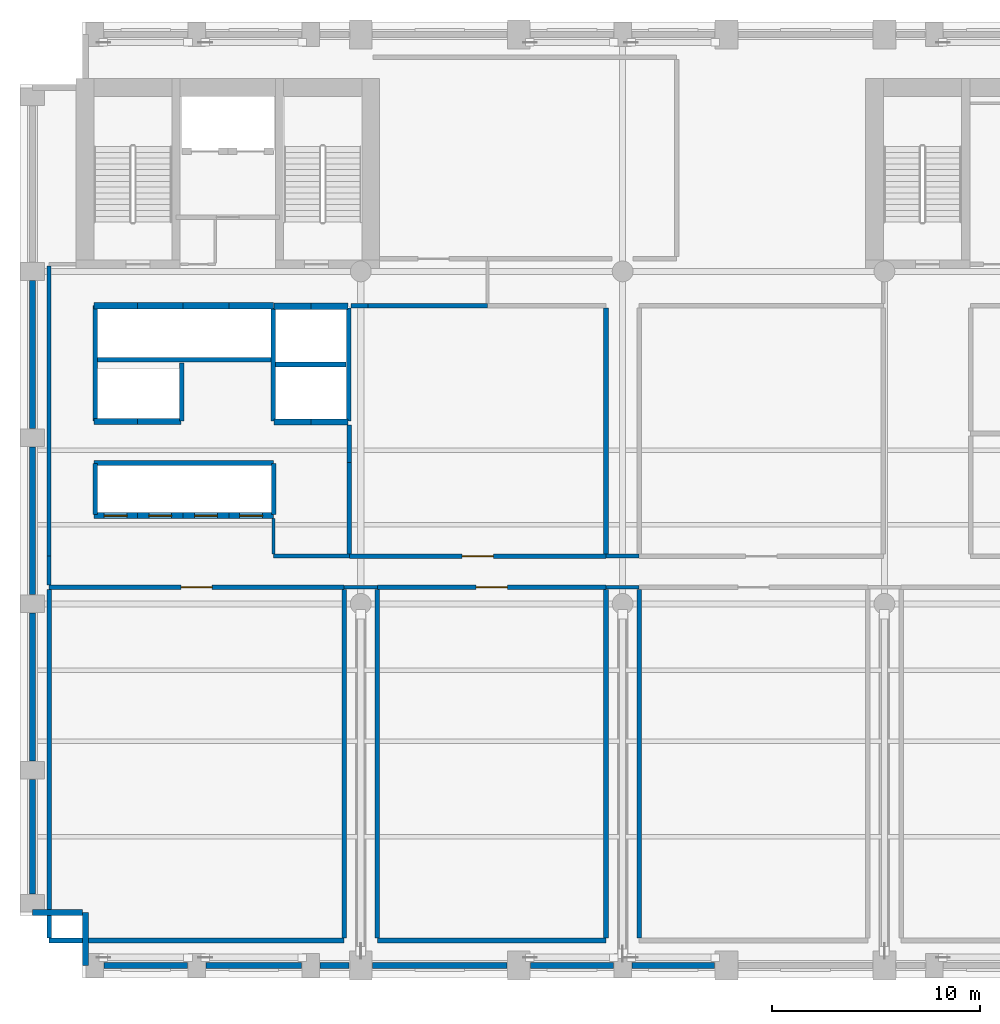
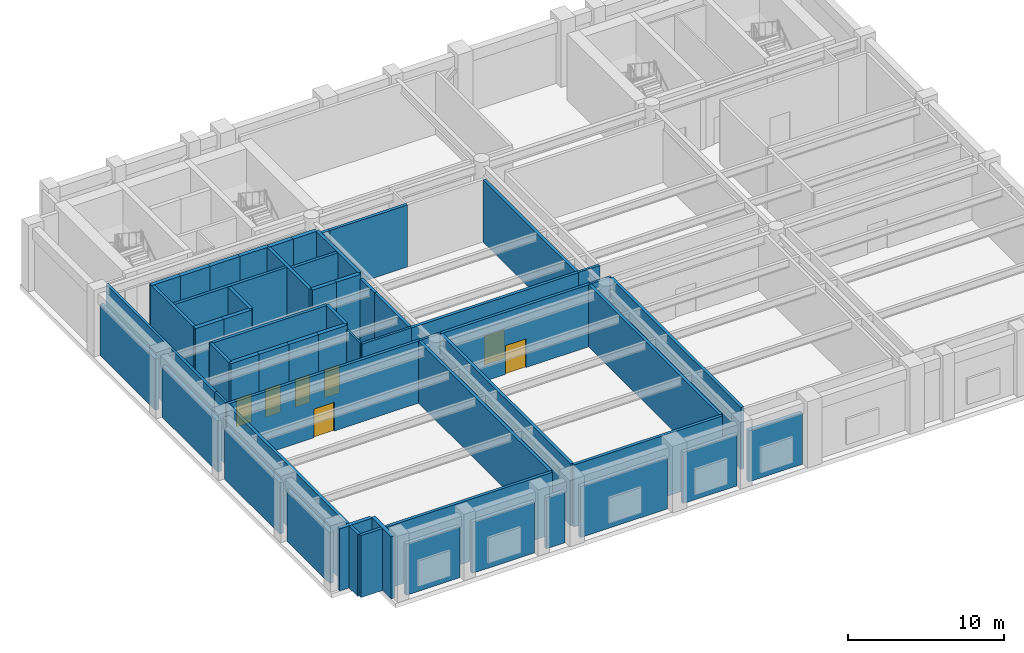
# One storey, part 5 of 11: 57 walls, 7 doors, 7 openings.
"""IFC4 building model written with IfcOpenShell, lengths in metres."""

from ifc_helpers import new_model, si_unit, direction, frame, frame_2d, origin, place, context, subcontext, project, spatial, rectangle, extrude, material, layer, layer_set, type_object, element, fill, save


model = new_model("IFC4")

# Units and contexts
model_context = context("Model", 3, precision=1e-05, world=origin(), true_north=direction((0.0, 1.0)))
body_context = subcontext(model_context, "Body", "Model", "MODEL_VIEW")
ifc_project = project(units=[si_unit("LENGTHUNIT", "METRE"), si_unit("AREAUNIT", "SQUARE_METRE"), si_unit("VOLUMEUNIT", "CUBIC_METRE"), si_unit("PLANEANGLEUNIT", "RADIAN"), si_unit("MASSUNIT", "GRAM", prefix="KILO")], contexts=[model_context])

# Site, building, storey
site_placement = place(None, origin())
site = spatial("IfcSite", under=ifc_project, at=site_placement, CompositionType="ELEMENT")
building_placement = place(site_placement, origin())
building = spatial("IfcBuilding", under=site, at=building_placement, Name="Sulina Concourse Tower", CompositionType="ELEMENT")
storey_placement = place(building_placement, frame((0.0, 0.0, 82.60009765625)))
storey = spatial("IfcBuildingStorey", under=building, at=storey_placement, Name="L20", CompositionType="ELEMENT", Elevation=82.60009765625)

# Walls
ifc_material_1 = material(Name="Concrete C50/60", Category="concrete")
ifc_layer_1 = layer(ifc_material_1, 0.219970703125)
ifc_layer_set_1 = layer_set([ifc_layer_1], Name="Concrete C50/60")
wall_type_1 = type_object("IfcWallType", Name="Core Lift Hoistway Divider Wall 220mm", PredefinedType="SOLIDWALL", material=ifc_layer_set_1)
wall_1_placement = place(storey_placement, frame((3.550048828125, 29.75, 0.0), z_axis=(0.0, 0.0, 1.0), x_axis=(1.0, 0.0, 0.0)))
element("IfcWall", 1, at=wall_1_placement, inside=storey, type_object=wall_type_1, Name="L20 shaft divider wall HW-LP3-S", PredefinedType="SOLIDWALL", context=body_context, shape_type="SweptSolid", body=[
    extrude(rectangle(XDim=8.64990234375, YDim=0.219970703125, at=frame_2d((4.324951171875, 0.0))), origin(), (0.0, 0.0, 1.0), 5.199951171875),
])
wall_2_placement = place(storey_placement, frame((3.6298828125, 26.800048828125, 0.0), z_axis=(0.0, 0.0, 1.0), x_axis=(0.0, 1.0, 0.0)))
element("IfcWall", 2, at=wall_2_placement, inside=storey, type_object=wall_type_1, Name="L20 shaft divider wall HW-LP3-W", PredefinedType="SOLIDWALL", context=body_context, shape_type="SweptSolid", body=[
    extrude(rectangle(XDim=5.550048828125, YDim=0.219970703125, at=frame_2d((2.77490234375, 0.0))), origin(), (0.0, 0.0, 1.0), 5.199951171875),
])
wall_3_placement = place(storey_placement, frame((7.780029296875, 26.800048828125, 0.0), z_axis=(0.0, 0.0, 1.0), x_axis=(0.0, 1.0, 0.0)))
element("IfcWall", 3, at=wall_3_placement, inside=storey, type_object=wall_type_1, Name="L20 shaft divider wall HW-EXP-E", PredefinedType="SOLIDWALL", context=body_context, shape_type="SweptSolid", body=[
    extrude(rectangle(XDim=2.800048828125, YDim=0.219970703125, at=frame_2d((1.39990234375, 0.0))), origin(), (0.0, 0.0, 1.0), 5.199951171875),
])
for number, where, z_axis, x_axis, name in (
    (4, (12.179931640625, 26.800048828125, 0.0), (0.0, 0.0, 1.0), (0.0, 1.0, 0.0), "L20 shaft divider wall HW-LP2-W"),
    (5, (15.820068359375, 26.800048828125, 0.0), (0.0, 0.0, 1.0), (0.0, 1.0, 0.0), "L20 shaft divider wall HW-LP2-E"),
):
    element("IfcWall", number, at=place(storey_placement, frame(where, z_axis=z_axis, x_axis=x_axis)), inside=storey, type_object=wall_type_1, Name=name, PredefinedType="SOLIDWALL", context=body_context, shape_type="SweptSolid", body=[
        extrude(rectangle(XDim=5.449951171875, YDim=0.219970703125, at=frame_2d((2.72509765625, 0.0))), origin(), (0.0, 0.0, 1.0), 5.199951171875),
    ])
wall_4_placement = place(storey_placement, frame((12.300048828125, 29.52001953125, 0.0), z_axis=(0.0, 0.0, 1.0), x_axis=(1.0, 0.0, 0.0)))
element("IfcWall", 6, at=wall_4_placement, inside=storey, type_object=wall_type_1, Name="L20 shaft divider wall HW-LP2-M", PredefinedType="SOLIDWALL", context=body_context, shape_type="SweptSolid", body=[
    extrude(rectangle(XDim=3.39990234375, YDim=0.219970703125, at=frame_2d((1.699951171875, 0.0))), origin(), (0.0, 0.0, 1.0), 5.199951171875),
])
wall_5_placement = place(storey_placement, frame((3.550048828125, 24.780029296875, 0.0), z_axis=(0.0, 0.0, 1.0), x_axis=(1.0, 0.0, 0.0)))
element("IfcWall", 7, at=wall_5_placement, inside=storey, type_object=wall_type_1, Name="L20 shaft divider wall HW-LP1-N", PredefinedType="SOLIDWALL", context=body_context, shape_type="SweptSolid", body=[
    extrude(rectangle(XDim=8.64990234375, YDim=0.219970703125, at=frame_2d((4.324951171875, 0.0))), origin(), (0.0, 0.0, 1.0), 5.199951171875),
])
for number, where, z_axis, x_axis, name in (
    (8, (3.6298828125, 22.300048828125, 0.0), (0.0, 0.0, 1.0), (0.0, 1.0, 0.0), "L20 shaft divider wall HW-LP1-W"),
    (9, (12.219970703125, 22.300048828125, 0.0), (0.0, 0.0, 1.0), (0.0, 1.0, 0.0), "L20 shaft divider wall HW-LP1-E"),
):
    element("IfcWall", number, at=place(storey_placement, frame(where, z_axis=z_axis, x_axis=x_axis)), inside=storey, type_object=wall_type_1, Name=name, PredefinedType="SOLIDWALL", context=body_context, shape_type="SweptSolid", body=[
        extrude(rectangle(XDim=2.449951171875, YDim=0.219970703125, at=frame_2d((1.22509765625, 0.0))), origin(), (0.0, 0.0, 1.0), 5.199951171875),
    ])

# Wall, opening, door
ifc_material_2 = material(Name="Concrete C50/60", Category="concrete")
ifc_layer_2 = layer(ifc_material_2, 0.300048828125)
ifc_layer_set_2 = layer_set([ifc_layer_2], Name="Concrete C50/60")
wall_type_2 = type_object("IfcWallType", Name="Core Lift Hoistway Wall 300mm", PredefinedType="SOLIDWALL", material=ifc_layer_set_2)
wall_6_placement = place(storey_placement, frame((5.64990234375, 22.25, 0.0), z_axis=(0.0, 0.0, 1.0), x_axis=(-1.0, 0.0, 0.0)))
wall_6 = element("IfcWall", 10, at=wall_6_placement, inside=storey, type_object=wall_type_2, Name="L20 hoistway enclosure wall LP-01", PredefinedType="SOLIDWALL", context=body_context, shape_type="SweptSolid", body=[
    extrude(rectangle(XDim=2.099853515625, YDim=0.300048828125, at=frame_2d((1.0498046875, 0.0))), origin(), (0.0, 0.0, 1.0), 5.199951171875),
])
opening_1_placement = place(wall_6_placement, frame((0.5, 0.0, 0.0)))
opening_1 = element("IfcOpeningElement", 11, at=opening_1_placement, cuts=wall_6, Name="Opening LD-01", PredefinedType="OPENING", context=body_context, shape_type="SweptSolid", body=[
    extrude(rectangle(XDim=1.10009765625, YDim=2.199951171875, at=frame_2d((0.550048828125, 1.10009765625))), frame((0.0, 0.159912109375, 0.0), z_axis=(0.0, -1.0, 0.0), x_axis=(1.0, 0.0, 0.0)), (0.0, 0.0, 1.0), 0.320068359375),
])
ifc_material_3 = material(Name="Stainless steel lift landing door", Category="steel")
ifc_layer_3 = layer(ifc_material_3, 0.050048828125)
ifc_layer_set_3 = layer_set([ifc_layer_3], Name="Stainless steel lift landing door")
door_type_1 = type_object("IfcDoorType", Name="Passenger Lift Sliding Landing Door 1100x2200", OperationType="SLIDING_TO_LEFT", PredefinedType="DOOR", material=ifc_layer_set_3)
door_1_placement = place(opening_1_placement, origin())
door_1 = element("IfcDoor", 12, at=door_1_placement, inside=storey, type_object=door_type_1, Name="L20 lift landing sliding door LP-01", OperationType="SLIDING_TO_LEFT", OverallHeight=2.199951171875, OverallWidth=1.10009765625, PredefinedType="DOOR", context=body_context, shape_type="SweptSolid", body=[
    extrude(rectangle(XDim=1.10009765625, YDim=2.199951171875, at=frame_2d((0.550048828125, 1.10009765625))), frame((0.0, 0.02490234375, 0.0), z_axis=(0.0, -1.0, 0.0), x_axis=(1.0, 0.0, 0.0)), (0.0, 0.0, 1.0), 0.050048828125),
])
fill(opening_1, door_1)

wall_7_placement = place(storey_placement, frame((7.85009765625, 22.25, 0.0), z_axis=(0.0, 0.0, 1.0), x_axis=(-1.0, 0.0, 0.0)))
wall_7 = element("IfcWall", 13, at=wall_7_placement, inside=storey, type_object=wall_type_2, Name="L20 hoistway enclosure wall LP-02", PredefinedType="SOLIDWALL", context=body_context, shape_type="SweptSolid", body=[
    extrude(rectangle(XDim=2.2001953125, YDim=0.300048828125, at=frame_2d((1.10009765625, 0.0))), origin(), (0.0, 0.0, 1.0), 5.199951171875),
])
opening_2_placement = place(wall_7_placement, frame((0.550048828125, 0.0, 0.0)))
opening_2 = element("IfcOpeningElement", 14, at=opening_2_placement, cuts=wall_7, Name="Opening LD-01", PredefinedType="OPENING", context=body_context, shape_type="SweptSolid", body=[
    extrude(rectangle(XDim=1.10009765625, YDim=2.199951171875, at=frame_2d((0.550048828125, 1.10009765625))), frame((0.0, 0.159912109375, 0.0), z_axis=(0.0, -1.0, 0.0), x_axis=(1.0, 0.0, 0.0)), (0.0, 0.0, 1.0), 0.320068359375),
])
door_2_placement = place(opening_2_placement, origin())
door_2 = element("IfcDoor", 15, at=door_2_placement, inside=storey, type_object=door_type_1, Name="L20 lift landing sliding door LP-02", OperationType="SLIDING_TO_RIGHT", OverallHeight=2.199951171875, OverallWidth=1.10009765625, PredefinedType="DOOR", context=body_context, shape_type="SweptSolid", body=[
    extrude(rectangle(XDim=1.10009765625, YDim=2.199951171875, at=frame_2d((0.550048828125, 1.10009765625))), frame((0.0, 0.02490234375, 0.0), z_axis=(0.0, -1.0, 0.0), x_axis=(1.0, 0.0, 0.0)), (0.0, 0.0, 1.0), 0.050048828125),
])
fill(opening_2, door_2)

wall_8_placement = place(storey_placement, frame((10.050048828125, 22.25, 0.0), z_axis=(0.0, 0.0, 1.0), x_axis=(-1.0, 0.0, 0.0)))
wall_8 = element("IfcWall", 16, at=wall_8_placement, inside=storey, type_object=wall_type_2, Name="L20 hoistway enclosure wall LP-03", PredefinedType="SOLIDWALL", context=body_context, shape_type="SweptSolid", body=[
    extrude(rectangle(XDim=2.199951171875, YDim=0.300048828125, at=frame_2d((1.10009765625, 0.0))), origin(), (0.0, 0.0, 1.0), 5.199951171875),
])
opening_3_placement = place(wall_8_placement, frame((0.550048828125, 0.0, 0.0)))
opening_3 = element("IfcOpeningElement", 17, at=opening_3_placement, cuts=wall_8, Name="Opening LD-01", PredefinedType="OPENING", context=body_context, shape_type="SweptSolid", body=[
    extrude(rectangle(XDim=1.10009765625, YDim=2.199951171875, at=frame_2d((0.550048828125, 1.10009765625))), frame((0.0, 0.159912109375, 0.0), z_axis=(0.0, -1.0, 0.0), x_axis=(1.0, 0.0, 0.0)), (0.0, 0.0, 1.0), 0.320068359375),
])
door_3_placement = place(opening_3_placement, origin())
door_3 = element("IfcDoor", 18, at=door_3_placement, inside=storey, type_object=door_type_1, Name="L20 lift landing sliding door LP-03", OperationType="SLIDING_TO_LEFT", OverallHeight=2.199951171875, OverallWidth=1.10009765625, PredefinedType="DOOR", context=body_context, shape_type="SweptSolid", body=[
    extrude(rectangle(XDim=1.10009765625, YDim=2.199951171875, at=frame_2d((0.550048828125, 1.10009765625))), frame((0.0, 0.02490234375, 0.0), z_axis=(0.0, -1.0, 0.0), x_axis=(1.0, 0.0, 0.0)), (0.0, 0.0, 1.0), 0.050048828125),
])
fill(opening_3, door_3)

wall_9_placement = place(storey_placement, frame((12.199951171875, 22.25, 0.0), z_axis=(0.0, 0.0, 1.0), x_axis=(-1.0, 0.0, 0.0)))
wall_9 = element("IfcWall", 19, at=wall_9_placement, inside=storey, type_object=wall_type_2, Name="L20 hoistway enclosure wall LP-04", PredefinedType="SOLIDWALL", context=body_context, shape_type="SweptSolid", body=[
    extrude(rectangle(XDim=2.14990234375, YDim=0.300048828125, at=frame_2d((1.074951171875, 0.0))), origin(), (0.0, 0.0, 1.0), 5.199951171875),
])
opening_4_placement = place(wall_9_placement, frame((0.52490234375, 0.0, 0.0)))
opening_4 = element("IfcOpeningElement", 20, at=opening_4_placement, cuts=wall_9, Name="Opening LD-01", PredefinedType="OPENING", context=body_context, shape_type="SweptSolid", body=[
    extrude(rectangle(XDim=1.10009765625, YDim=2.199951171875, at=frame_2d((0.550048828125, 1.10009765625))), frame((0.0, 0.159912109375, 0.0), z_axis=(0.0, -1.0, 0.0), x_axis=(1.0, 0.0, 0.0)), (0.0, 0.0, 1.0), 0.320068359375),
])
door_4_placement = place(opening_4_placement, origin())
door_4 = element("IfcDoor", 21, at=door_4_placement, inside=storey, type_object=door_type_1, Name="L20 lift landing sliding door LP-04", OperationType="SLIDING_TO_RIGHT", OverallHeight=2.199951171875, OverallWidth=1.10009765625, PredefinedType="DOOR", context=body_context, shape_type="SweptSolid", body=[
    extrude(rectangle(XDim=1.10009765625, YDim=2.199951171875, at=frame_2d((0.550048828125, 1.10009765625))), frame((0.0, 0.02490234375, 0.0), z_axis=(0.0, -1.0, 0.0), x_axis=(1.0, 0.0, 0.0)), (0.0, 0.0, 1.0), 0.050048828125),
])
fill(opening_4, door_4)

# Walls
for number, where, z_axis, x_axis, name in (
    (22, (14.0, 26.75, 0.0), (0.0, 0.0, 1.0), (-1.0, 0.0, 0.0), "L20 hoistway enclosure wall LP-05"),
    (23, (15.780029296875, 26.75, 0.0), (0.0, 0.0, 1.0), (-1.0, 0.0, 0.0), "L20 hoistway enclosure wall LP-06"),
    (24, (12.219970703125, 32.320068359375, 0.0), (0.0, 0.0, 1.0), (1.0, 0.0, 0.0), "L20 hoistway enclosure wall LP-07"),
    (25, (14.0, 32.320068359375, 0.0), (0.0, 0.0, 1.0), (1.0, 0.0, 0.0), "L20 hoistway enclosure wall LP-08"),
):
    element("IfcWall", number, at=place(storey_placement, frame(where, z_axis=z_axis, x_axis=x_axis)), inside=storey, type_object=wall_type_2, Name=name, PredefinedType="SOLIDWALL", context=body_context, shape_type="SweptSolid", body=[
        extrude(rectangle(XDim=1.780029296875, YDim=0.300048828125, at=frame_2d((0.89013671875, 0.0))), origin(), (0.0, 0.0, 1.0), 5.199951171875),
    ])
wall_10_placement = place(storey_placement, frame((3.550048828125, 32.35009765625, 0.0), z_axis=(0.0, 0.0, 1.0), x_axis=(1.0, 0.0, 0.0)))
element("IfcWall", 26, at=wall_10_placement, inside=storey, type_object=wall_type_2, Name="L20 hoistway enclosure wall LP-09", PredefinedType="SOLIDWALL", context=body_context, shape_type="SweptSolid", body=[
    extrude(rectangle(XDim=2.099853515625, YDim=0.300048828125, at=frame_2d((1.0498046875, 0.0))), origin(), (0.0, 0.0, 1.0), 5.199951171875),
])
wall_11_placement = place(storey_placement, frame((5.64990234375, 32.35009765625, 0.0), z_axis=(0.0, 0.0, 1.0), x_axis=(1.0, 0.0, 0.0)))
element("IfcWall", 27, at=wall_11_placement, inside=storey, type_object=wall_type_2, Name="L20 hoistway enclosure wall LP-10", PredefinedType="SOLIDWALL", context=body_context, shape_type="SweptSolid", body=[
    extrude(rectangle(XDim=2.2001953125, YDim=0.300048828125, at=frame_2d((1.10009765625, 0.0))), origin(), (0.0, 0.0, 1.0), 5.199951171875),
])
wall_12_placement = place(storey_placement, frame((7.85009765625, 32.35009765625, 0.0), z_axis=(0.0, 0.0, 1.0), x_axis=(1.0, 0.0, 0.0)))
element("IfcWall", 28, at=wall_12_placement, inside=storey, type_object=wall_type_2, Name="L20 hoistway enclosure wall LP-11", PredefinedType="SOLIDWALL", context=body_context, shape_type="SweptSolid", body=[
    extrude(rectangle(XDim=2.199951171875, YDim=0.300048828125, at=frame_2d((1.10009765625, 0.0))), origin(), (0.0, 0.0, 1.0), 5.199951171875),
])
wall_13_placement = place(storey_placement, frame((10.050048828125, 32.35009765625, 0.0), z_axis=(0.0, 0.0, 1.0), x_axis=(1.0, 0.0, 0.0)))
element("IfcWall", 29, at=wall_13_placement, inside=storey, type_object=wall_type_2, Name="L20 hoistway enclosure wall LP-12", PredefinedType="SOLIDWALL", context=body_context, shape_type="SweptSolid", body=[
    extrude(rectangle(XDim=2.14990234375, YDim=0.300048828125, at=frame_2d((1.074951171875, 0.0))), origin(), (0.0, 0.0, 1.0), 5.199951171875),
])
wall_14_placement = place(storey_placement, frame((5.64990234375, 26.780029296875, 0.0), z_axis=(0.0, 0.0, 1.0), x_axis=(-1.0, 0.0, 0.0)))
element("IfcWall", 30, at=wall_14_placement, inside=storey, type_object=wall_type_2, Name="L20 hoistway enclosure wall EXP-1", PredefinedType="SOLIDWALL", context=body_context, shape_type="SweptSolid", body=[
    extrude(rectangle(XDim=2.099853515625, YDim=0.300048828125, at=frame_2d((1.0498046875, 0.0))), origin(), (0.0, 0.0, 1.0), 5.199951171875),
])
wall_15_placement = place(storey_placement, frame((7.75, 26.780029296875, 0.0), z_axis=(0.0, 0.0, 1.0), x_axis=(-1.0, 0.0, 0.0)))
element("IfcWall", 31, at=wall_15_placement, inside=storey, type_object=wall_type_2, Name="L20 hoistway enclosure wall EXP-2", PredefinedType="SOLIDWALL", context=body_context, shape_type="SweptSolid", body=[
    extrude(rectangle(XDim=2.10009765625, YDim=0.300048828125, at=frame_2d((1.050048828125, 0.0))), origin(), (0.0, 0.0, 1.0), 5.199951171875),
])
ifc_material_4 = material(Name="Gypsum board on steel stud", Category="steel")
ifc_layer_4 = layer(ifc_material_4, 0.219970703125)
ifc_layer_set_4 = layer_set([ifc_layer_4], Name="Gypsum board on steel stud")
wall_type_3 = type_object("IfcWallType", Name="Fire-Rated Lobby & Compartment Wall 220mm", PredefinedType="PARTITIONING", material=ifc_layer_set_4)
wall_16_placement = place(storey_placement, frame((1.39990234375, 1.800048828125, 0.0), z_axis=(0.0, 0.0, 1.0), x_axis=(1.0, 0.0, 0.0)))
element("IfcWall", 32, at=wall_16_placement, inside=storey, type_object=wall_type_3, Name="L20 interior partition 001", PredefinedType="PARTITIONING", context=body_context, shape_type="SweptSolid", body=[
    extrude(rectangle(XDim=14.2001953125, YDim=0.219970703125, at=frame_2d((7.10009765625, 0.0))), origin(), (0.0, 0.0, 1.0), 4.85986328125),
])
wall_17_placement = place(storey_placement, frame((17.199951171875, 1.800048828125, 0.0), z_axis=(0.0, 0.0, 1.0), x_axis=(1.0, 0.0, 0.0)))
element("IfcWall", 33, at=wall_17_placement, inside=storey, type_object=wall_type_3, Name="L20 interior partition 002", PredefinedType="PARTITIONING", context=body_context, shape_type="SweptSolid", body=[
    extrude(rectangle(XDim=11.0, YDim=0.219970703125, at=frame_2d((5.5, 0.0))), origin(), (0.0, 0.0, 1.0), 4.85986328125),
])

# Wall, opening, door
wall_18_placement = place(storey_placement, frame((1.39990234375, 18.800048828125, 0.0), z_axis=(0.0, 0.0, 1.0), x_axis=(1.0, 0.0, 0.0)))
wall_18 = element("IfcWall", 34, at=wall_18_placement, inside=storey, type_object=wall_type_3, Name="L20 interior partition 005", PredefinedType="PARTITIONING", context=body_context, shape_type="SweptSolid", body=[
    extrude(rectangle(XDim=14.2001953125, YDim=0.219970703125, at=frame_2d((7.10009765625, 0.0))), origin(), (0.0, 0.0, 1.0), 4.85986328125),
])
opening_5_placement = place(wall_18_placement, frame((6.35009765625, 0.0, 0.0)))
opening_5 = element("IfcOpeningElement", 35, at=opening_5_placement, cuts=wall_18, Name="Opening DR-80", PredefinedType="OPENING", context=body_context, shape_type="SweptSolid", body=[
    extrude(rectangle(XDim=1.5, YDim=2.25, at=frame_2d((0.75, 1.125))), frame((0.0, 0.119873046875, 0.0), z_axis=(0.0, -1.0, 0.0), x_axis=(1.0, 0.0, 0.0)), (0.0, 0.0, 1.0), 0.239990234375),
])
ifc_material_5 = material(Name="Galvanised steel acoustic fire leaf", Category="steel")
ifc_layer_5 = layer(ifc_material_5, 0.054931640625)
ifc_layer_set_5 = layer_set([ifc_layer_5], Name="Galvanised steel acoustic fire leaf")
door_type_2 = type_object("IfcDoorType", Name="Mechanical Plant Double Fire Door 1500x2250", OperationType="DOUBLE_DOOR_SINGLE_SWING", PredefinedType="DOOR", material=ifc_layer_set_5)
door_5_placement = place(opening_5_placement, origin())
door_5 = element("IfcDoor", 36, at=door_5_placement, inside=storey, type_object=door_type_2, Name="L20 interior door L20-CHILLER-1", OperationType="DOUBLE_DOOR_SINGLE_SWING", OverallHeight=2.25, OverallWidth=1.5, PredefinedType="DOOR", context=body_context, shape_type="SweptSolid", body=[
    extrude(rectangle(XDim=1.5, YDim=2.25, at=frame_2d((0.75, 1.125))), frame((0.0, 0.02490234375, 0.0), z_axis=(0.0, -1.0, 0.0), x_axis=(1.0, 0.0, 0.0)), (0.0, 0.0, 1.0), 0.050048828125),
])
fill(opening_5, door_5)

wall_19_placement = place(storey_placement, frame((17.199951171875, 18.800048828125, 0.0), z_axis=(0.0, 0.0, 1.0), x_axis=(1.0, 0.0, 0.0)))
wall_19 = element("IfcWall", 37, at=wall_19_placement, inside=storey, type_object=wall_type_3, Name="L20 interior partition 007", PredefinedType="PARTITIONING", context=body_context, shape_type="SweptSolid", body=[
    extrude(rectangle(XDim=11.0, YDim=0.219970703125, at=frame_2d((5.5, 0.0))), origin(), (0.0, 0.0, 1.0), 4.85986328125),
])
opening_6_placement = place(wall_19_placement, frame((4.75, 0.0, 0.0)))
opening_6 = element("IfcOpeningElement", 38, at=opening_6_placement, cuts=wall_19, Name="Opening DR-80", PredefinedType="OPENING", context=body_context, shape_type="SweptSolid", body=[
    extrude(rectangle(XDim=1.5, YDim=2.25, at=frame_2d((0.75, 1.125))), frame((0.0, 0.119873046875, 0.0), z_axis=(0.0, -1.0, 0.0), x_axis=(1.0, 0.0, 0.0)), (0.0, 0.0, 1.0), 0.239990234375),
])
door_6_placement = place(opening_6_placement, origin())
door_6 = element("IfcDoor", 39, at=door_6_placement, inside=storey, type_object=door_type_2, Name="L20 interior door L20-CHILLER-2", OperationType="DOUBLE_DOOR_SINGLE_SWING", OverallHeight=2.25, OverallWidth=1.5, PredefinedType="DOOR", context=body_context, shape_type="SweptSolid", body=[
    extrude(rectangle(XDim=1.5, YDim=2.25, at=frame_2d((0.75, 1.125))), frame((0.0, 0.02490234375, 0.0), z_axis=(0.0, -1.0, 0.0), x_axis=(1.0, 0.0, 0.0)), (0.0, 0.0, 1.0), 0.050048828125),
])
fill(opening_6, door_6)

wall_20_placement = place(storey_placement, frame((15.85009765625, 20.300048828125, 0.0), z_axis=(0.0, 0.0, 1.0), x_axis=(1.0, 0.0, 0.0)))
wall_20 = element("IfcWall", 40, at=wall_20_placement, inside=storey, type_object=wall_type_3, Name="L20 interior partition 013", PredefinedType="PARTITIONING", context=body_context, shape_type="SweptSolid", body=[
    extrude(rectangle(XDim=12.349853515625, YDim=0.219970703125, at=frame_2d((6.1748046875, 0.0))), origin(), (0.0, 0.0, 1.0), 4.85986328125),
])
opening_7_placement = place(wall_20_placement, frame((5.425048828125, 0.0, 0.0)))
opening_7 = element("IfcOpeningElement", 41, at=opening_7_placement, cuts=wall_20, Name="Opening DR-80", PredefinedType="OPENING", context=body_context, shape_type="SweptSolid", body=[
    extrude(rectangle(XDim=1.5, YDim=2.25, at=frame_2d((0.75, 1.125))), frame((0.0, 0.119873046875, 0.0), z_axis=(0.0, -1.0, 0.0), x_axis=(1.0, 0.0, 0.0)), (0.0, 0.0, 1.0), 0.239990234375),
])
door_7_placement = place(opening_7_placement, origin())
door_7 = element("IfcDoor", 42, at=door_7_placement, inside=storey, type_object=door_type_2, Name="L20 interior door L20-SWG-RM1", OperationType="DOUBLE_DOOR_SINGLE_SWING", OverallHeight=2.25, OverallWidth=1.5, PredefinedType="DOOR", context=body_context, shape_type="SweptSolid", body=[
    extrude(rectangle(XDim=1.5, YDim=2.25, at=frame_2d((0.75, 1.125))), frame((0.0, 0.02490234375, 0.0), z_axis=(0.0, -1.0, 0.0), x_axis=(1.0, 0.0, 0.0)), (0.0, 0.0, 1.0), 0.050048828125),
])
fill(opening_7, door_7)

# Walls
wall_21_placement = place(storey_placement, frame((15.929931640625, 32.35009765625, 0.0), z_axis=(0.0, 0.0, 1.0), x_axis=(1.0, 0.0, 0.0)))
element("IfcWall", 43, at=wall_21_placement, inside=storey, type_object=wall_type_3, Name="L20 interior partition 018", PredefinedType="PARTITIONING", context=body_context, shape_type="SweptSolid", body=[
    extrude(rectangle(XDim=0.820068359375, YDim=0.219970703125, at=frame_2d((0.41015625, 0.0))), origin(), (0.0, 0.0, 1.0), 4.85986328125),
])
wall_22_placement = place(storey_placement, frame((16.75, 32.35009765625, 0.0), z_axis=(0.0, 0.0, 1.0), x_axis=(1.0, 0.0, 0.0)))
element("IfcWall", 44, at=wall_22_placement, inside=storey, type_object=wall_type_3, Name="L20 interior partition 019", PredefinedType="PARTITIONING", context=body_context, shape_type="SweptSolid", body=[
    extrude(rectangle(XDim=5.75, YDim=0.219970703125, at=frame_2d((2.875, 0.0))), origin(), (0.0, 0.0, 1.0), 4.85986328125),
])
for number, where, z_axis, x_axis, name in (
    (45, (1.39990234375, 1.909912109375, 0.0), (0.0, 0.0, 1.0), (0.0, 1.0, 0.0), "L20 interior partition 032"),
    (46, (15.60009765625, 1.909912109375, 0.0), (0.0, 0.0, 1.0), (0.0, 1.0, 0.0), "L20 interior partition 037"),
):
    element("IfcWall", number, at=place(storey_placement, frame(where, z_axis=z_axis, x_axis=x_axis)), inside=storey, type_object=wall_type_3, Name=name, PredefinedType="PARTITIONING", context=body_context, shape_type="SweptSolid", body=[
        extrude(rectangle(XDim=16.780029296875, YDim=0.219970703125, at=frame_2d((8.39013671875, 0.0))), origin(), (0.0, 0.0, 1.0), 4.85986328125),
    ])
wall_23_placement = place(storey_placement, frame((15.85009765625, 20.409912109375, 0.0), z_axis=(0.0, 0.0, 1.0), x_axis=(0.0, 1.0, 0.0)))
element("IfcWall", 47, at=wall_23_placement, inside=storey, type_object=wall_type_3, Name="L20 interior partition 038", PredefinedType="PARTITIONING", context=body_context, shape_type="SweptSolid", body=[
    extrude(rectangle(XDim=4.39013671875, YDim=0.219970703125, at=frame_2d((2.195068359375, 0.0))), origin(), (0.0, 0.0, 1.0), 4.85986328125),
])
wall_24_placement = place(storey_placement, frame((15.85009765625, 24.800048828125, 0.0), z_axis=(0.0, 0.0, 1.0), x_axis=(0.0, 1.0, 0.0)))
element("IfcWall", 48, at=wall_24_placement, inside=storey, type_object=wall_type_3, Name="L20 interior partition 039", PredefinedType="PARTITIONING", context=body_context, shape_type="SweptSolid", body=[
    extrude(rectangle(XDim=1.800048828125, YDim=0.219970703125, at=frame_2d((0.89990234375, 0.0))), origin(), (0.0, 0.0, 1.0), 4.85986328125),
])
for number, where, z_axis, x_axis, name in (
    (49, (17.199951171875, 1.909912109375, 0.0), (0.0, 0.0, 1.0), (0.0, 1.0, 0.0), "L20 interior partition 040"),
    (50, (28.199951171875, 1.909912109375, 0.0), (0.0, 0.0, 1.0), (0.0, 1.0, 0.0), "L20 interior partition 042"),
):
    element("IfcWall", number, at=place(storey_placement, frame(where, z_axis=z_axis, x_axis=x_axis)), inside=storey, type_object=wall_type_3, Name=name, PredefinedType="PARTITIONING", context=body_context, shape_type="SweptSolid", body=[
        extrude(rectangle(XDim=16.780029296875, YDim=0.219970703125, at=frame_2d((8.39013671875, 0.0))), origin(), (0.0, 0.0, 1.0), 4.85986328125),
    ])
wall_25_placement = place(storey_placement, frame((28.199951171875, 20.409912109375, 0.0), z_axis=(0.0, 0.0, 1.0), x_axis=(0.0, 1.0, 0.0)))
element("IfcWall", 51, at=wall_25_placement, inside=storey, type_object=wall_type_3, Name="L20 interior partition 043", PredefinedType="PARTITIONING", context=body_context, shape_type="SweptSolid", body=[
    extrude(rectangle(XDim=11.830078125, YDim=0.219970703125, at=frame_2d((5.9150390625, 0.0))), origin(), (0.0, 0.0, 1.0), 4.85986328125),
])
wall_26_placement = place(storey_placement, frame((29.800048828125, 1.909912109375, 0.0), z_axis=(0.0, 0.0, 1.0), x_axis=(0.0, 1.0, 0.0)))
element("IfcWall", 52, at=wall_26_placement, inside=storey, type_object=wall_type_3, Name="L20 interior partition 044", PredefinedType="PARTITIONING", context=body_context, shape_type="SweptSolid", body=[
    extrude(rectangle(XDim=16.780029296875, YDim=0.219970703125, at=frame_2d((8.39013671875, 0.0))), origin(), (0.0, 0.0, 1.0), 4.85986328125),
])
ifc_material_6 = material(Name="Gypsum board on steel stud", Category="steel")
ifc_layer_6 = layer(ifc_material_6, 0.14990234375)
ifc_layer_set_6 = layer_set([ifc_layer_6], Name="Gypsum board on steel stud")
wall_type_4 = type_object("IfcWallType", Name="Inter-Tenancy Acoustic Partition 150mm", PredefinedType="PARTITIONING", material=ifc_layer_set_6)
wall_27_placement = place(storey_placement, frame((12.199951171875, 20.389892578125, 0.0), z_axis=(0.0, 0.0, 1.0), x_axis=(0.0, 1.0, 0.0)))
element("IfcWall", 53, at=wall_27_placement, inside=storey, type_object=wall_type_4, Name="L20 interior partition 036", PredefinedType="PARTITIONING", context=body_context, shape_type="SweptSolid", body=[
    extrude(rectangle(XDim=1.710205078125, YDim=0.14990234375, at=frame_2d((0.85498046875, 0.0))), origin(), (0.0, 0.0, 1.0), 4.85986328125),
])
ifc_material_7 = material(Name="Gypsum board on steel stud", Category="steel")
ifc_layer_7 = layer(ifc_material_7, 0.179931640625)
ifc_layer_set_7 = layer_set([ifc_layer_7], Name="Gypsum board on steel stud")
wall_type_5 = type_object("IfcWallType", Name="Protected Corridor & Riser Partition 180mm", PredefinedType="PARTITIONING", material=ifc_layer_set_7)
wall_28_placement = place(storey_placement, frame((15.60009765625, 18.800048828125, 0.0), z_axis=(0.0, 0.0, 1.0), x_axis=(1.0, 0.0, 0.0)))
element("IfcWall", 54, at=wall_28_placement, inside=storey, type_object=wall_type_5, Name="L20 interior partition 006", PredefinedType="PARTITIONING", context=body_context, shape_type="SweptSolid", body=[
    extrude(rectangle(XDim=1.599853515625, YDim=0.179931640625, at=frame_2d((0.7998046875, 0.0))), origin(), (0.0, 0.0, 1.0), 4.85986328125),
])
wall_29_placement = place(storey_placement, frame((28.199951171875, 18.800048828125, 0.0), z_axis=(0.0, 0.0, 1.0), x_axis=(1.0, 0.0, 0.0)))
element("IfcWall", 55, at=wall_29_placement, inside=storey, type_object=wall_type_5, Name="L20 interior partition 008", PredefinedType="PARTITIONING", context=body_context, shape_type="SweptSolid", body=[
    extrude(rectangle(XDim=1.60009765625, YDim=0.179931640625, at=frame_2d((0.800048828125, 0.0))), origin(), (0.0, 0.0, 1.0), 4.85986328125),
])
wall_30_placement = place(storey_placement, frame((12.199951171875, 20.300048828125, 0.0), z_axis=(0.0, 0.0, 1.0), x_axis=(1.0, 0.0, 0.0)))
element("IfcWall", 56, at=wall_30_placement, inside=storey, type_object=wall_type_5, Name="L20 interior partition 012", PredefinedType="PARTITIONING", context=body_context, shape_type="SweptSolid", body=[
    extrude(rectangle(XDim=3.650146484375, YDim=0.179931640625, at=frame_2d((1.8251953125, 0.0))), origin(), (0.0, 0.0, 1.0), 4.85986328125),
])
wall_31_placement = place(storey_placement, frame((28.199951171875, 20.300048828125, 0.0), z_axis=(0.0, 0.0, 1.0), x_axis=(1.0, 0.0, 0.0)))
element("IfcWall", 57, at=wall_31_placement, inside=storey, type_object=wall_type_5, Name="L20 interior partition 014", PredefinedType="PARTITIONING", context=body_context, shape_type="SweptSolid", body=[
    extrude(rectangle(XDim=1.60009765625, YDim=0.179931640625, at=frame_2d((0.800048828125, 0.0))), origin(), (0.0, 0.0, 1.0), 4.85986328125),
])
wall_32_placement = place(storey_placement, frame((1.39990234375, 18.909912109375, 0.0), z_axis=(0.0, 0.0, 1.0), x_axis=(0.0, 1.0, 0.0)))
element("IfcWall", 58, at=wall_32_placement, inside=storey, type_object=wall_type_5, Name="L20 interior partition 033", PredefinedType="PARTITIONING", context=body_context, shape_type="SweptSolid", body=[
    extrude(rectangle(XDim=1.39013671875, YDim=0.179931640625, at=frame_2d((0.695068359375, 0.0))), origin(), (0.0, 0.0, 1.0), 4.85986328125),
])
wall_33_placement = place(storey_placement, frame((1.39990234375, 20.300048828125, 0.0), z_axis=(0.0, 0.0, 1.0), x_axis=(0.0, 1.0, 0.0)))
element("IfcWall", 59, at=wall_33_placement, inside=storey, type_object=wall_type_5, Name="L20 interior partition 034", PredefinedType="PARTITIONING", context=body_context, shape_type="SweptSolid", body=[
    extrude(rectangle(XDim=13.9599609375, YDim=0.179931640625, at=frame_2d((6.97998046875, 0.0))), origin(), (0.0, 0.0, 1.0), 4.85986328125),
])
ifc_material_8 = material(Name="Precast concrete C50/60", Category="concrete")
ifc_layer_8 = layer(ifc_material_8, 0.280029296875)
ifc_layer_set_8 = layer_set([ifc_layer_8], Name="Precast concrete C50/60")
wall_type_6 = type_object("IfcWallType", Name="Typical Precast Masonry-Frame Facade Wall 280mm", PredefinedType="SOLIDWALL", material=ifc_layer_set_8)
wall_34_placement = place(storey_placement, frame((8.054931640625, 0.60009765625, 0.0), z_axis=(0.0, 0.0, 1.0), x_axis=(-1.0, 0.0, 0.0)))
element("IfcWall", 60, at=wall_34_placement, inside=storey, type_object=wall_type_6, Name="L20 exterior precast wall S1", PredefinedType="SOLIDWALL", context=body_context, shape_type="SweptSolid", body=[
    extrude(rectangle(XDim=4.010009765625, YDim=0.280029296875, at=frame_2d((2.0048828125, 0.0))), origin(), (0.0, 0.0, 1.0), 4.010009765625),
])
wall_35_placement = place(storey_placement, frame((13.554931640625, 0.60009765625, 0.0), z_axis=(0.0, 0.0, 1.0), x_axis=(-1.0, 0.0, 0.0)))
element("IfcWall", 61, at=wall_35_placement, inside=storey, type_object=wall_type_6, Name="L20 exterior precast wall S2", PredefinedType="SOLIDWALL", context=body_context, shape_type="SweptSolid", body=[
    extrude(rectangle(XDim=4.60986328125, YDim=0.280029296875, at=frame_2d((2.304931640625, 0.0))), origin(), (0.0, 0.0, 1.0), 4.010009765625),
])
wall_36_placement = place(storey_placement, frame((15.830078125, 0.60009765625, 0.0), z_axis=(0.0, 0.0, 1.0), x_axis=(-1.0, 0.0, 0.0)))
element("IfcWall", 62, at=wall_36_placement, inside=storey, type_object=wall_type_6, Name="L20 exterior precast wall S3", PredefinedType="SOLIDWALL", context=body_context, shape_type="SweptSolid", body=[
    extrude(rectangle(XDim=1.385009765625, YDim=0.280029296875, at=frame_2d((0.6923828125, 0.0))), origin(), (0.0, 0.0, 1.0), 4.010009765625),
])
wall_37_placement = place(storey_placement, frame((23.429931640625, 0.60009765625, 0.0), z_axis=(0.0, 0.0, 1.0), x_axis=(-1.0, 0.0, 0.0)))
element("IfcWall", 63, at=wall_37_placement, inside=storey, type_object=wall_type_6, Name="L20 exterior precast wall S4", PredefinedType="SOLIDWALL", context=body_context, shape_type="SweptSolid", body=[
    extrude(rectangle(XDim=6.4599609375, YDim=0.280029296875, at=frame_2d((3.22998046875, 0.0))), origin(), (0.0, 0.0, 1.0), 4.010009765625),
])
for number, where, z_axis, x_axis, name in (
    (64, (28.554931640625, 0.60009765625, 0.0), (0.0, 0.0, 1.0), (-1.0, 0.0, 0.0), "L20 exterior precast wall S5"),
    (65, (33.429931640625, 0.60009765625, 0.0), (0.0, 0.0, 1.0), (-1.0, 0.0, 0.0), "L20 exterior precast wall S6"),
):
    element("IfcWall", number, at=place(storey_placement, frame(where, z_axis=z_axis, x_axis=x_axis)), inside=storey, type_object=wall_type_6, Name=name, PredefinedType="SOLIDWALL", context=body_context, shape_type="SweptSolid", body=[
        extrude(rectangle(XDim=3.98486328125, YDim=0.280029296875, at=frame_2d((1.992431640625, 0.0))), origin(), (0.0, 0.0, 1.0), 4.010009765625),
    ])
wall_38_placement = place(storey_placement, frame((0.60009765625, 4.044921875, 0.0), z_axis=(0.0, 0.0, 1.0), x_axis=(0.0, 1.0, 0.0)))
element("IfcWall", 66, at=wall_38_placement, inside=storey, type_object=wall_type_6, Name="L20 exterior precast wall W1", PredefinedType="SOLIDWALL", context=body_context, shape_type="SweptSolid", body=[
    extrude(rectangle(XDim=5.510009765625, YDim=0.280029296875, at=frame_2d((2.7548828125, 0.0))), origin(), (0.0, 0.0, 1.0), 4.010009765625),
])
for number, where, z_axis, x_axis, name in (
    (67, (0.60009765625, 10.445068359375, 0.0), (0.0, 0.0, 1.0), (0.0, 1.0, 0.0), "L20 exterior precast wall W2"),
    (68, (0.60009765625, 18.445068359375, 0.0), (0.0, 0.0, 1.0), (0.0, 1.0, 0.0), "L20 exterior precast wall W3"),
    (69, (0.60009765625, 26.445068359375, 0.0), (0.0, 0.0, 1.0), (0.0, 1.0, 0.0), "L20 exterior precast wall W4"),
):
    element("IfcWall", number, at=place(storey_placement, frame(where, z_axis=z_axis, x_axis=x_axis)), inside=storey, type_object=wall_type_6, Name=name, PredefinedType="SOLIDWALL", context=body_context, shape_type="SweptSolid", body=[
        extrude(rectangle(XDim=7.10986328125, YDim=0.280029296875, at=frame_2d((3.554931640625, 0.0))), origin(), (0.0, 0.0, 1.0), 4.010009765625),
    ])
wall_39_placement = place(storey_placement, frame((3.155029296875, 0.60009765625, 0.0), z_axis=(0.0, 0.0, 1.0), x_axis=(0.0, 1.0, 0.0)))
element("IfcWall", 70, at=wall_39_placement, inside=storey, type_object=wall_type_6, Name="L20 exterior precast wall CSW1", PredefinedType="SOLIDWALL", context=body_context, shape_type="SweptSolid", body=[
    extrude(rectangle(XDim=2.554931640625, YDim=0.280029296875, at=frame_2d((1.27734375, 0.0))), origin(), (0.0, 0.0, 1.0), 4.85986328125),
])
wall_40_placement = place(storey_placement, frame((3.010009765625, 3.155029296875, 0.0), z_axis=(0.0, 0.0, 1.0), x_axis=(-1.0, 0.0, 0.0)))
element("IfcWall", 71, at=wall_40_placement, inside=storey, type_object=wall_type_6, Name="L20 exterior precast wall CSW2", PredefinedType="SOLIDWALL", context=body_context, shape_type="SweptSolid", body=[
    extrude(rectangle(XDim=2.409912109375, YDim=0.280029296875, at=frame_2d((1.205078125, 0.0))), origin(), (0.0, 0.0, 1.0), 4.85986328125),
])

save(model, "model.ifc")
